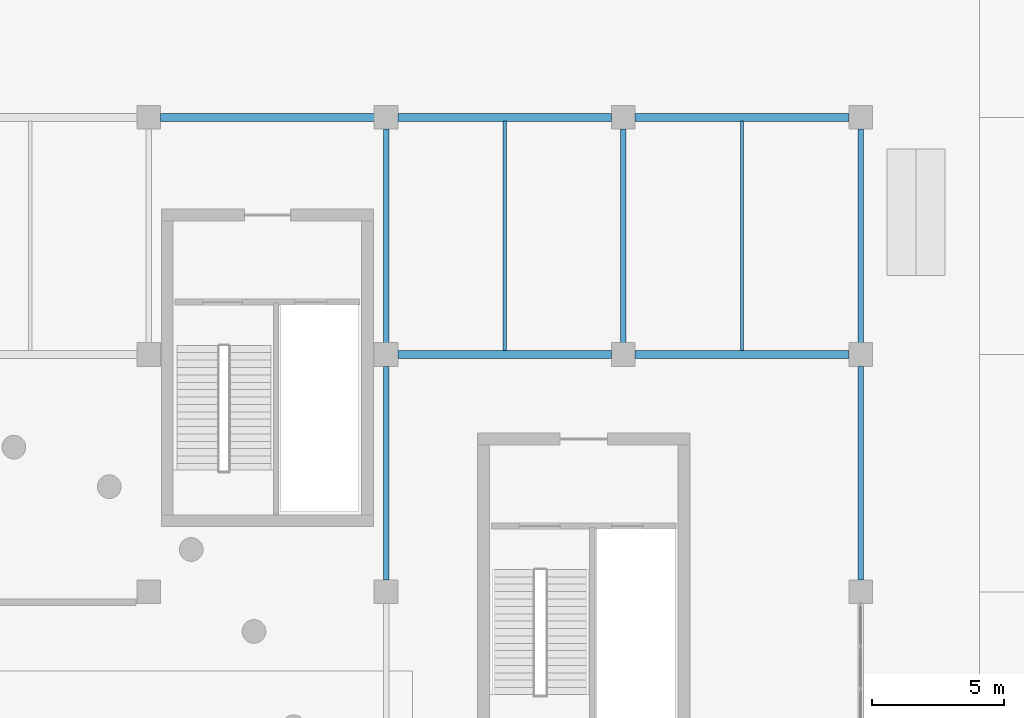
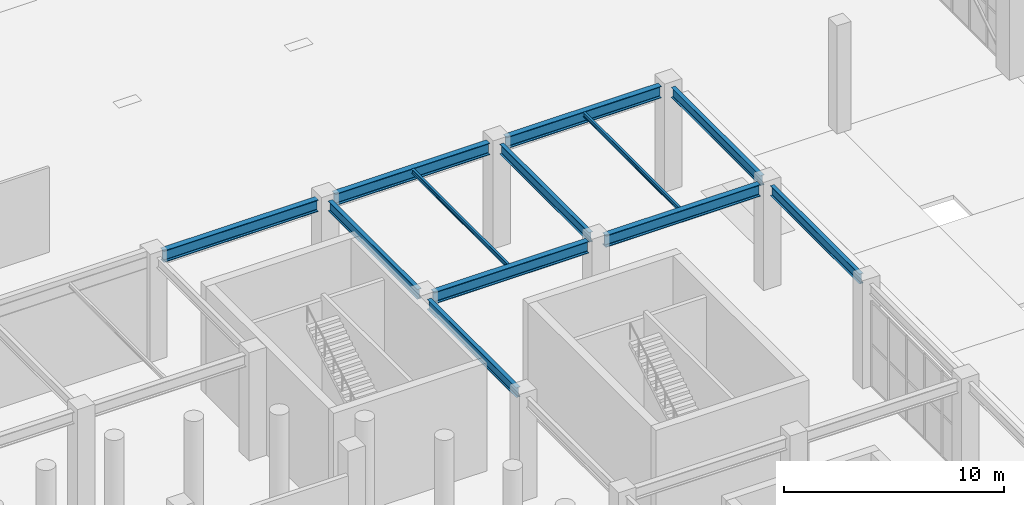
# One storey, part 29 of 91: 12 beams.
"""IFC4 building model written with IfcOpenShell, lengths in metres."""

import ifcopenshell
import ifcopenshell.guid

model = None  # the IFC model being written
_history = None  # IfcOwnerHistory: only IFC2X3 demands one
_inside = {}  # id of a spatial element -> (the spatial element, [elements in it])
_under = {}  # id of a project, library or spatial element -> (it, [spatial elements below it])
_declared = {}  # id of a project -> (the project, [libraries it declares])
_typed = {}  # id of a type object -> (the type object, [elements of that type])
_made_of = {}  # id of a material, layer set ... -> (it, [elements and type objects made of it])


def new_model(schema):
    """Start an empty IFC model of exactly this schema.

    Asked for "IFC4X3", IfcOpenShell would pick the latest addendum, in which some entities
    have other attributes; the version numbers below select the first issue.
    IFC2X3 requires an IfcOwnerHistory on every rooted entity: one is made here for all.
    """
    global model, _history
    if schema == "IFC4X3":
        model = ifcopenshell.file(schema_version=(4, 3, 0, 0))
    else:
        model = ifcopenshell.file(schema=schema)
    _inside.clear()
    _under.clear()
    _declared.clear()
    _typed.clear()
    _made_of.clear()
    _history = None
    if model.schema == "IFC2X3":
        org = make("IfcOrganization", Name="unknown")
        user = make(
            "IfcPersonAndOrganization",
            ThePerson=make("IfcPerson", FamilyName="unknown"),
            TheOrganization=org,
        )
        app = make(
            "IfcApplication",
            ApplicationDeveloper=org,
            Version="unknown",
            ApplicationFullName="unknown",
            ApplicationIdentifier="unknown",
        )
        _history = make(
            "IfcOwnerHistory",
            OwningUser=user,
            OwningApplication=app,
            ChangeAction="ADDED",
            CreationDate=0,
        )
    return model


def make(cls, **values):
    """One entity of the class cls with the attributes given. An attribute that is None is left unset."""
    return model.create_entity(
        cls, **{name: value for name, value in values.items() if value is not None}
    )


def rooted(cls, **values):
    """An entity with a GlobalId (a new one), such as an element, a storey or a relation."""
    return make(cls, GlobalId=ifcopenshell.guid.new(), OwnerHistory=_history, **values)


def si_unit(unit_type, name, prefix=None):
    """IfcSIUnit, for example si_unit("LENGTHUNIT", "METRE", prefix="MILLI")."""
    return make("IfcSIUnit", UnitType=unit_type, Prefix=prefix, Name=name)


def assignment(units):
    """IfcUnitAssignment: the units of a project."""
    return None if units is None else make("IfcUnitAssignment", Units=units)


def point(xyz):
    """IfcCartesianPoint."""
    return None if xyz is None else make("IfcCartesianPoint", Coordinates=xyz)


def direction(xyz):
    """IfcDirection."""
    return None if xyz is None else make("IfcDirection", DirectionRatios=xyz)


def frame(location, z_axis=None, x_axis=None):
    """IfcAxis2Placement3D, a coordinate frame: its origin and axes. An axis left out is left unset."""
    return make(
        "IfcAxis2Placement3D",
        Location=point(location),
        Axis=direction(z_axis),
        RefDirection=direction(x_axis),
    )


def frame_2d(location, x_axis=None):
    """IfcAxis2Placement2D, a coordinate frame in the plane: its origin and x axis."""
    return make(
        "IfcAxis2Placement2D", Location=point(location), RefDirection=direction(x_axis)
    )


def origin():
    """The frame at (0, 0, 0) with its axes left unset."""
    return frame((0.0, 0.0, 0.0))


def origin_2d():
    """The frame at (0, 0) in the plane with its x axis left unset."""
    return frame_2d((0.0, 0.0))


def place(relative_to, where):
    """IfcLocalPlacement: puts the frame where relative to a parent placement (None: the world)."""
    return make(
        "IfcLocalPlacement", PlacementRelTo=relative_to, RelativePlacement=where
    )


def context(
    kind, dimensions, precision=None, world=None, true_north=None, identifier=None
):
    """IfcGeometricRepresentationContext, for example the 3D "Model" context."""
    return make(
        "IfcGeometricRepresentationContext",
        ContextIdentifier=identifier,
        ContextType=kind,
        CoordinateSpaceDimension=dimensions,
        Precision=precision,
        WorldCoordinateSystem=world,
        TrueNorth=true_north,
    )


def subcontext(parent, identifier, kind, view, scale=None):
    """IfcGeometricRepresentationSubContext, for example "Body" below "Model"."""
    return make(
        "IfcGeometricRepresentationSubContext",
        ContextIdentifier=identifier,
        ContextType=kind,
        ParentContext=parent,
        TargetScale=scale,
        TargetView=view,
    )


def project(units=None, contexts=None):
    """IfcProject with its units and contexts."""
    return rooted(
        "IfcProject",
        Name="project",
        RepresentationContexts=contexts,
        UnitsInContext=assignment(units),
    )


def spatial(cls, under=None, at=None, **own):
    """A site, building, storey or space (cls), placed at a placement, below another one or the project."""
    s = rooted(cls, ObjectPlacement=at, **own)
    if under is not None:
        _under.setdefault(under.id(), (under, []))[1].append(s)
    return s


def profile(cls, at=None, kind="AREA", **sizes):
    """A parametric profile (cls). Its sizes go by their IFC names, for example OverallWidth=200.0."""
    return make(cls, ProfileType=kind, Position=at, **sizes)


def i_section(**sizes):
    """IfcIShapeProfileDef."""
    return profile("IfcIShapeProfileDef", **sizes)


def extrude(swept, where, along, depth):
    """IfcExtrudedAreaSolid: the profile swept, set in the frame where, extruded along a direction by depth."""
    return make(
        "IfcExtrudedAreaSolid",
        SweptArea=swept,
        Position=where,
        ExtrudedDirection=direction(along),
        Depth=depth,
    )


def shape(context_of_items, identifier, shape_type, items):
    """IfcShapeRepresentation: the items that make up one representation, for example the "Body"."""
    return make(
        "IfcShapeRepresentation",
        ContextOfItems=context_of_items,
        RepresentationIdentifier=identifier,
        RepresentationType=shape_type,
        Items=items,
    )


def material(Name=None, Category=None):
    """IfcMaterial."""
    return make("IfcMaterial", Name=Name, Category=Category)


def material_profile(
    of_material, cross_section, Name=None, Category=None, Priority=None
):
    """IfcMaterialProfile: a cross section and its material."""
    return make(
        "IfcMaterialProfile",
        Name=Name,
        Material=of_material,
        Profile=cross_section,
        Priority=Priority,
        Category=Category,
    )


def profile_set(profiles, Name=None, composite=None):
    """IfcMaterialProfileSet."""
    return make(
        "IfcMaterialProfileSet",
        Name=Name,
        MaterialProfiles=profiles,
        CompositeProfile=composite,
    )


def made_of(thing, what):
    """Note that an element or type object is made of a material, layer set ...; save() writes the relation."""
    if what is not None:
        _made_of.setdefault(what.id(), (what, []))[1].append(thing)
    return thing


def type_object(cls, material=None, **own):
    """A type object (cls), such as IfcWallType, which elements share."""
    return made_of(rooted(cls, **own), material)


def element(
    cls,
    number,
    at=None,
    inside=None,
    cuts=None,
    type_object=None,
    material=None,
    context=None,
    identifier="Body",
    shape_type=None,
    held_by="IfcProductDefinitionShape",
    body=None,
    shapes=None,
    **own,
):
    """One element of the class cls, such as IfcWall. Its Tag is "e" and its number.

    at: its placement. inside: the storey or other place that contains it. cuts: it is an
    opening in that element (IfcRelVoidsElement). A single representation is given by context,
    identifier, shape_type and body (its items); several are given by shapes. held_by: the class
    of the entity that holds the representations. save() writes the other relations.
    """
    e = rooted(cls, Tag="e%d" % number, ObjectPlacement=at, **own)
    if body is not None:
        shapes = [shape(context, identifier, shape_type, body)]
    if shapes is not None:
        e.Representation = make(held_by, Representations=shapes)
    if inside is not None:
        _inside.setdefault(inside.id(), (inside, []))[1].append(e)
    if cuts is not None:
        rooted(
            "IfcRelVoidsElement", RelatingBuildingElement=cuts, RelatedOpeningElement=e
        )
    if type_object is not None:
        _typed.setdefault(type_object.id(), (type_object, []))[1].append(e)
    return made_of(e, material)


def aggregate(whole, parts):
    """IfcRelAggregates: a whole, such as a stair, and the parts it consists of."""
    return rooted("IfcRelAggregates", RelatingObject=whole, RelatedObjects=parts)


def save(model, path):
    """Write the relations noted so far, then the file.

    IfcRelAggregates (storeys below a building ...), IfcRelContainedInSpatialStructure (elements
    in a storey), IfcRelDefinesByType, IfcRelAssociatesMaterial and IfcRelDeclares: one each for
    every whole, place, type object, material and project.
    """
    for whole, parts in _under.values():
        aggregate(whole, parts)
    for where, things in _inside.values():
        rooted(
            "IfcRelContainedInSpatialStructure",
            RelatedElements=things,
            RelatingStructure=where,
        )
    for kind, things in _typed.values():
        rooted("IfcRelDefinesByType", RelatedObjects=things, RelatingType=kind)
    for what, things in _made_of.values():
        rooted("IfcRelAssociatesMaterial", RelatedObjects=things, RelatingMaterial=what)
    for by, libraries in _declared.values():
        rooted("IfcRelDeclares", RelatingContext=by, RelatedDefinitions=libraries)
    model.write(path)


model = new_model("IFC4")

# Units and contexts
model_context = context("Model", 3, precision=1e-05, world=origin(), true_north=direction((0.0, 1.0)))
body_context = subcontext(model_context, "Body", "Model", "MODEL_VIEW")
ifc_project = project(units=[si_unit("LENGTHUNIT", "METRE"), si_unit("AREAUNIT", "SQUARE_METRE"), si_unit("VOLUMEUNIT", "CUBIC_METRE"), si_unit("PLANEANGLEUNIT", "RADIAN"), si_unit("MASSUNIT", "GRAM", prefix="KILO")], contexts=[model_context])

# Site, building, storey
site_placement = place(None, origin())
site = spatial("IfcSite", under=ifc_project, at=site_placement, CompositionType="ELEMENT")
building_placement = place(site_placement, origin())
building = spatial("IfcBuilding", under=site, at=building_placement, Name="Dornveld Trade and Exhibition Forum", CompositionType="ELEMENT")
storey_placement = place(building_placement, origin())
storey = spatial("IfcBuildingStorey", under=building, at=storey_placement, Name="L00", CompositionType="ELEMENT", Elevation=0.0)

# Beams
ifc_material_1 = material(Name="Steel S355J2", Category="steel")
ifc_material_profile_1 = material_profile(ifc_material_1, i_section(OverallWidth=0.300048828125, OverallDepth=0.64990234375, WebThickness=0.01611328125, FlangeThickness=0.031005859375, FilletRadius=0.027099609375, at=origin_2d()), Name="HEB 650")
ifc_profile_set_1 = profile_set([ifc_material_profile_1], Name="Steel S355J2")
beam_type_1 = type_object("IfcBeamType", Name="BM-GIR-HEB650", PredefinedType="USERDEFINED", material=ifc_profile_set_1)
for number, where, z_axis, x_axis, name in (
    (1, (135.446044921875, 99.0, 5.375), (1.0, 0.0, 0.0), (0.0, 1.0, 0.0), "L00 X-girder 688"),
    (2, (144.446044921875, 99.0, 5.375), (1.0, 0.0, 0.0), (0.0, 1.0, 0.0), "L00 X-girder 689"),
    (3, (126.446044921875, 108.0, 5.375), (1.0, 0.0, 0.0), (0.0, 1.0, 0.0), "L00 X-girder 694"),
    (4, (135.446044921875, 108.0, 5.375), (1.0, 0.0, 0.0), (0.0, 1.0, 0.0), "L00 X-girder 695"),
    (5, (144.446044921875, 108.0, 5.375), (1.0, 0.0, 0.0), (0.0, 1.0, 0.0), "L00 X-girder 696"),
):
    element("IfcBeam", number, at=place(storey_placement, frame(where, z_axis=z_axis, x_axis=x_axis)), inside=storey, type_object=beam_type_1, Name=name, ObjectType="GIRDER", PredefinedType="USERDEFINED", context=body_context, shape_type="SweptSolid", body=[
        extrude(i_section(OverallWidth=0.300048828125, OverallDepth=0.64990234375, WebThickness=0.01611328125, FlangeThickness=0.031005859375, FilletRadius=0.027099609375, at=origin_2d()), origin(), (0.0, 0.0, 1.0), 8.10791015625),
    ])
ifc_material_2 = material(Name="Steel S355J2", Category="steel")
ifc_material_profile_2 = material_profile(ifc_material_2, i_section(OverallWidth=0.1201171875, OverallDepth=0.239990234375, WebThickness=0.006103515625, FlangeThickness=0.009765625, FilletRadius=0.014892578125, at=origin_2d()), Name="IPE 240")
ifc_profile_set_2 = profile_set([ifc_material_profile_2], Name="Steel S355J2")
beam_type_2 = type_object("IfcBeamType", Name="BM-JOIST-240", PredefinedType="JOIST", material=ifc_profile_set_2)
for number, where, z_axis, x_axis, name in (
    (6, (139.5, 99.14697265625, 5.580078125), (0.0, 1.0, 0.0), (-1.0, 0.0, 0.0), "L00 secondary joist 768"),
    (7, (148.5, 99.14697265625, 5.580078125), (0.0, 1.0, 0.0), (-1.0, 0.0, 0.0), "L00 secondary joist 773"),
):
    element("IfcBeam", number, at=place(storey_placement, frame(where, z_axis=z_axis, x_axis=x_axis)), inside=storey, type_object=beam_type_2, Name=name, PredefinedType="JOIST", context=body_context, shape_type="SweptSolid", body=[
        extrude(i_section(OverallWidth=0.1201171875, OverallDepth=0.239990234375, WebThickness=0.006103515625, FlangeThickness=0.009765625, FilletRadius=0.014892578125, at=origin_2d()), origin(), (0.0, 0.0, 1.0), 8.7060546875),
    ])
ifc_material_3 = material(Name="Steel S355J2", Category="steel")
ifc_material_profile_3 = material_profile(ifc_material_3, i_section(OverallWidth=0.2099609375, OverallDepth=0.550048828125, WebThickness=0.010986328125, FlangeThickness=0.01708984375, FilletRadius=0.02392578125, at=origin_2d()), Name="IPE 550")
ifc_profile_set_3 = profile_set([ifc_material_profile_3], Name="Steel S355J2")
beam_type_3 = type_object("IfcBeamType", Name="BM-SEC-550", PredefinedType="BEAM", material=ifc_profile_set_3)
for number, where, z_axis, x_axis, name in (
    (8, (135.0, 90.446044921875, 5.425048828125), (0.0, 1.0, 0.0), (-1.0, 0.0, 0.0), "L00 Y-girder 733"),
    (9, (135.0, 99.446044921875, 5.425048828125), (0.0, 1.0, 0.0), (-1.0, 0.0, 0.0), "L00 Y-girder 734"),
    (10, (144.0, 99.446044921875, 5.425048828125), (0.0, 1.0, 0.0), (-1.0, 0.0, 0.0), "L00 Y-girder 739"),
    (11, (153.0, 90.446044921875, 5.425048828125), (0.0, 1.0, 0.0), (-1.0, 0.0, 0.0), "L00 Y-girder 747"),
    (12, (153.0, 99.446044921875, 5.425048828125), (0.0, 1.0, 0.0), (-1.0, 0.0, 0.0), "L00 Y-girder 748"),
):
    element("IfcBeam", number, at=place(storey_placement, frame(where, z_axis=z_axis, x_axis=x_axis)), inside=storey, type_object=beam_type_3, Name=name, PredefinedType="BEAM", context=body_context, shape_type="SweptSolid", body=[
        extrude(i_section(OverallWidth=0.2099609375, OverallDepth=0.550048828125, WebThickness=0.010986328125, FlangeThickness=0.01708984375, FilletRadius=0.02392578125, at=origin_2d()), origin(), (0.0, 0.0, 1.0), 8.10791015625),
    ])

save(model, "model.ifc")
